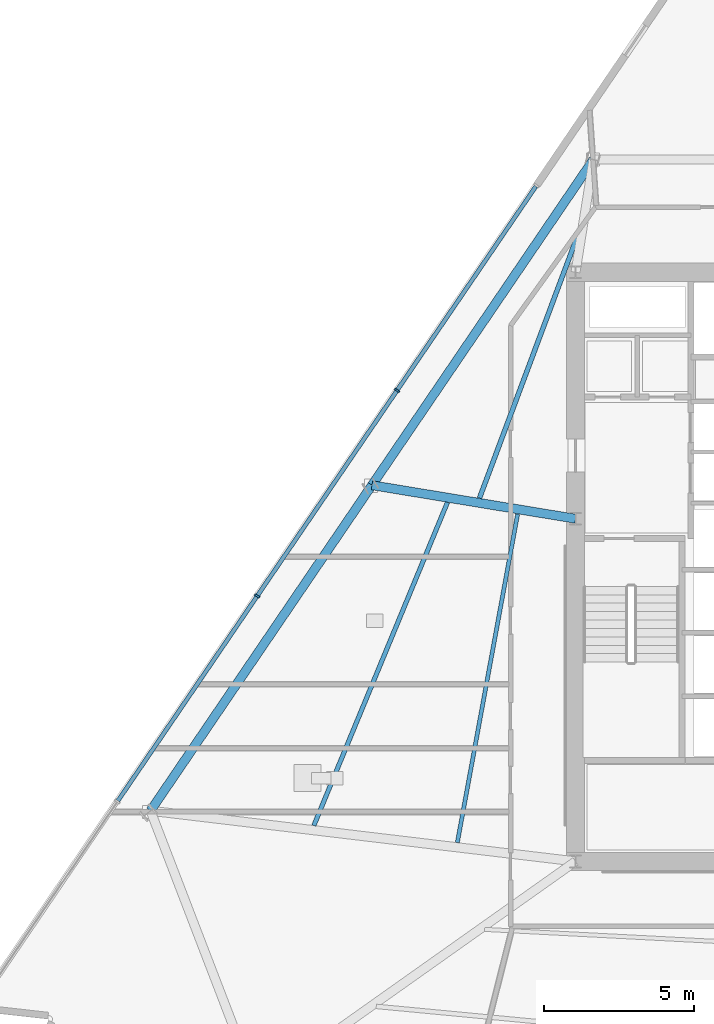
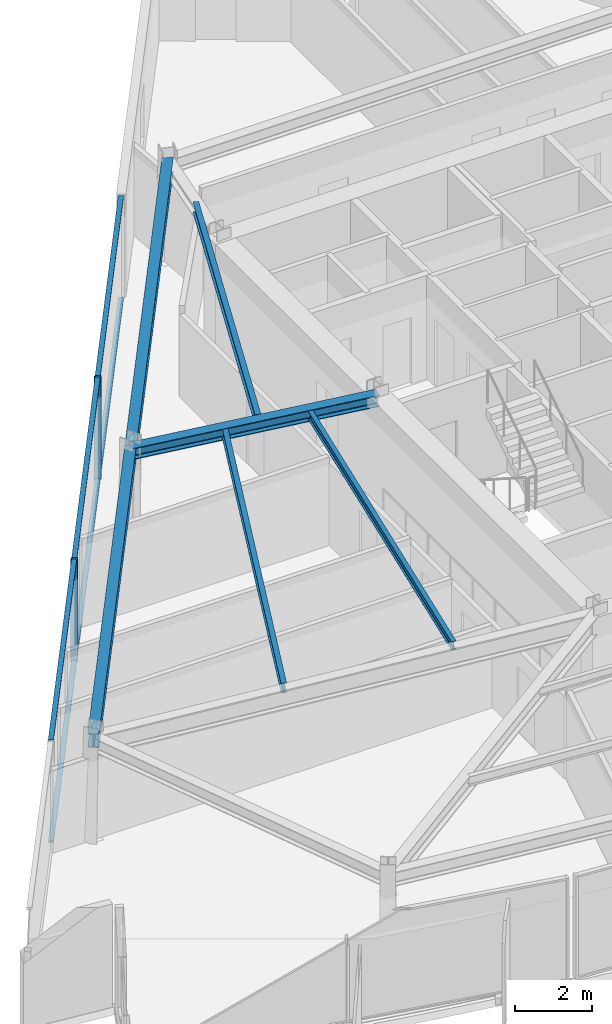
# One storey, part 3 of 15: 8 members, 6 beams, 1 element without a shape of its own.
"""IFC4 building model written with IfcOpenShell, lengths in metres."""

from ifc_helpers import new_model, si_unit, direction, frame, origin, origin_2d, place, context, subcontext, project, spatial, rectangle, i_section, extrude, material, material_profile, profile_set, type_object, element, aggregate, save


model = new_model("IFC4")

# Units and contexts
model_context = context("Model", 3, precision=1e-05, world=origin(), true_north=direction((0.0, 1.0)))
body_context = subcontext(model_context, "Body", "Model", "MODEL_VIEW")
ifc_project = project(units=[si_unit("LENGTHUNIT", "METRE"), si_unit("AREAUNIT", "SQUARE_METRE"), si_unit("VOLUMEUNIT", "CUBIC_METRE"), si_unit("PLANEANGLEUNIT", "RADIAN"), si_unit("MASSUNIT", "GRAM", prefix="KILO")], contexts=[model_context])

# Site, building, storey
site_placement = place(None, origin())
site = spatial("IfcSite", under=ifc_project, at=site_placement, CompositionType="ELEMENT")
building_placement = place(site_placement, origin())
building = spatial("IfcBuilding", under=site, at=building_placement, Name="Savorim Split Tower", CompositionType="ELEMENT")
storey_placement = place(building_placement, frame((0.0, 0.0, 125.699951171875)))
storey = spatial("IfcBuildingStorey", under=building, at=storey_placement, Name="L33", CompositionType="ELEMENT", Elevation=125.699951171875)

# Beams
ifc_material_1 = material(Name="Steel S355", Category="steel")
ifc_material_profile_1 = material_profile(ifc_material_1, i_section(OverallWidth=0.135009765625, OverallDepth=0.27001953125, WebThickness=0.006591796875, FlangeThickness=0.01025390625, FilletRadius=0.014892578125, at=origin_2d()), Name="IPE 270")
ifc_profile_set_1 = profile_set([ifc_material_profile_1], Name="Steel S355")
beam_type_1 = type_object("IfcBeamType", Name="BM-JST-IPE270", PredefinedType="JOIST", material=ifc_profile_set_1)
beam_1_placement = place(storey_placement, frame((-9.625244140625, 2.15478515625, 3.14501953125), z_axis=(-0.180490537246, -0.983576720935, 0.0), x_axis=(0.983576720935, -0.180490537246, 0.0)))
element("IfcBeam", 1, at=beam_1_placement, inside=storey, type_object=beam_type_1, Name="L33 Secondary Floor Joist JS-11", PredefinedType="JOIST", context=body_context, shape_type="SweptSolid", body=[
    extrude(i_section(OverallWidth=0.135009765625, OverallDepth=0.27001953125, WebThickness=0.006591796875, FlangeThickness=0.01025390625, FilletRadius=0.014892578125, at=origin_2d()), origin(), (0.0, 0.0, 1.0), 11.10791015625),
])
ifc_material_profile_2 = material_profile(ifc_material_1, i_section(OverallWidth=0.14990234375, OverallDepth=0.300048828125, WebThickness=0.007080078125, FlangeThickness=0.0107421875, FilletRadius=0.014892578125, at=origin_2d()), Name="IPE 300")
ifc_profile_set_2 = profile_set([ifc_material_profile_2], Name="Steel S355")
beam_type_2 = type_object("IfcBeamType", Name="BM-JST-IPE300", PredefinedType="JOIST", material=ifc_profile_set_2)
beam_2_placement = place(storey_placement, frame((-11.9599609375, 2.543701171875, 3.130126953125), z_axis=(-0.382122561092, -0.924111653592, 0.0), x_axis=(0.924111653592, -0.382122561092, 0.0)))
element("IfcBeam", 2, at=beam_2_placement, inside=storey, type_object=beam_type_2, Name="L33 Secondary Floor Joist JS-10", PredefinedType="JOIST", context=body_context, shape_type="SweptSolid", body=[
    extrude(i_section(OverallWidth=0.14990234375, OverallDepth=0.300048828125, WebThickness=0.007080078125, FlangeThickness=0.0107421875, FilletRadius=0.014892578125, at=origin_2d()), origin(), (0.0, 0.0, 1.0), 11.6337890625),
])
ifc_material_profile_3 = material_profile(ifc_material_1, i_section(OverallWidth=0.159912109375, OverallDepth=0.330078125, WebThickness=0.007568359375, FlangeThickness=0.011474609375, FilletRadius=0.01806640625, at=origin_2d()), Name="IPE 330")
ifc_profile_set_3 = profile_set([ifc_material_profile_3], Name="Steel S355")
beam_type_3 = type_object("IfcBeamType", Name="BM-JST-IPE330", PredefinedType="JOIST", material=ifc_profile_set_3)
beam_3_placement = place(storey_placement, frame((-7.470458984375, 11.847900390625, 3.114990234375), z_axis=(-0.350078353799, -0.93672042051, 0.0), x_axis=(0.93672042051, -0.350078353799, 0.0)))
element("IfcBeam", 3, at=beam_3_placement, inside=storey, type_object=beam_type_3, Name="L33 Secondary Floor Joist JS-09", PredefinedType="JOIST", context=body_context, shape_type="SweptSolid", body=[
    extrude(i_section(OverallWidth=0.159912109375, OverallDepth=0.330078125, WebThickness=0.007568359375, FlangeThickness=0.011474609375, FilletRadius=0.01806640625, at=origin_2d()), origin(), (0.0, 0.0, 1.0), 9.781494140625),
])
ifc_material_profile_4 = material_profile(ifc_material_1, i_section(OverallWidth=0.300048828125, OverallDepth=0.360107421875, WebThickness=0.012451171875, FlangeThickness=0.0224609375, FilletRadius=0.027099609375, at=origin_2d()), Name="HEB 360")
ifc_profile_set_4 = profile_set([ifc_material_profile_4], Name="Steel S355")
beam_type_4 = type_object("IfcBeamType", Name="BM-PRI-HEB360", PredefinedType="BEAM", material=ifc_profile_set_4)
beam_4_placement = place(storey_placement, frame((-14.472412109375, 3.115234375, 3.10009765625), z_axis=(0.98671123337, -0.162483666692, 0.0), x_axis=(0.162483666692, 0.98671123337, 0.0)))
element("IfcBeam", 4, at=beam_4_placement, inside=storey, type_object=beam_type_4, Name="L33 Primary Floor Girder RG-09", PredefinedType="BEAM", context=body_context, shape_type="SweptSolid", body=[
    extrude(i_section(OverallWidth=0.300048828125, OverallDepth=0.360107421875, WebThickness=0.012451171875, FlangeThickness=0.0224609375, FilletRadius=0.027099609375, at=origin_2d()), origin(), (0.0, 0.0, 1.0), 6.86376953125),
])
ifc_material_profile_5 = material_profile(ifc_material_1, i_section(OverallWidth=0.300048828125, OverallDepth=0.43994140625, WebThickness=0.011474609375, FlangeThickness=0.02099609375, FilletRadius=0.027099609375, at=origin_2d()), Name="HEA 450")
ifc_profile_set_5 = profile_set([ifc_material_profile_5], Name="Steel S355")
beam_type_5 = type_object("IfcBeamType", Name="BM-SPN-HEA450", PredefinedType="SPANDREL", material=ifc_profile_set_5)
beam_5_placement = place(storey_placement, frame((-7.10498046875, 13.9453125, 3.06005859375), z_axis=(-0.562465505411, -0.826820751567, 0.0), x_axis=(0.826820751567, -0.562465505411, 0.0)))
element("IfcBeam", 5, at=beam_5_placement, inside=storey, type_object=beam_type_5, Name="L33 Perimeter Spandrel Beam 8", PredefinedType="SPANDREL", context=body_context, shape_type="SweptSolid", body=[
    extrude(i_section(OverallWidth=0.300048828125, OverallDepth=0.43994140625, WebThickness=0.011474609375, FlangeThickness=0.02099609375, FilletRadius=0.027099609375, at=origin_2d()), origin(), (0.0, 0.0, 1.0), 13.098388671875),
])
beam_6_placement = place(storey_placement, frame((-14.472412109375, 3.115234375, 3.06005859375), z_axis=(-0.562474173677, -0.826814854696, 0.0), x_axis=(0.826814854696, -0.562474173677, 0.0)))
element("IfcBeam", 6, at=beam_6_placement, inside=storey, type_object=beam_type_5, Name="L33 Perimeter Spandrel Beam 9", PredefinedType="SPANDREL", context=body_context, shape_type="SweptSolid", body=[
    extrude(i_section(OverallWidth=0.300048828125, OverallDepth=0.43994140625, WebThickness=0.011474609375, FlangeThickness=0.02099609375, FilletRadius=0.027099609375, at=origin_2d()), origin(), (0.0, 0.0, 1.0), 13.09814453125),
])

# Curtain wall, members
ifc_material_2 = material(Name="Dark Ceramic-Fritted Insulated Glass", Category="glass")
curtain_wall_type = type_object("IfcCurtainWallType", Name="CW-TWR-FRIT-A", PredefinedType="NOTDEFINED", material=ifc_material_2)
curtain_wall_placement = place(storey_placement, origin())
curtain_wall = element("IfcCurtainWall", 7, at=curtain_wall_placement, inside=storey, type_object=curtain_wall_type, Name="L33 Curtain Wall CW-L33-WEST", PredefinedType="NOTDEFINED")
ifc_material_3 = material(Name="Charcoal Anodised Aluminium", Category="aluminium")
ifc_material_profile_6 = material_profile(ifc_material_3, rectangle(XDim=0.179931640625, YDim=0.06494140625, at=origin_2d()), Name="ALU-M 180x65")
ifc_profile_set_6 = profile_set([ifc_material_profile_6], Name="Charcoal Anodised Aluminium")
member_type_1 = type_object("IfcMemberType", Name="CWM-180x65", PredefinedType="MULLION", material=ifc_profile_set_6)
member_1_placement = place(storey_placement, frame((-13.636474609375, 6.269287109375, 0.0), z_axis=(0.0, 0.0, 1.0), x_axis=(0.826819959579, -0.562466669628, 0.0)))
member_1 = element("IfcMember", 8, at=member_1_placement, type_object=member_type_1, Name="CW-02 mullion 2", PredefinedType="MULLION", context=body_context, shape_type="SweptSolid", body=[
    extrude(rectangle(XDim=0.179931640625, YDim=0.06494140625, at=origin_2d()), origin(), (0.0, 0.0, 1.0), 3.280029296875),
])
member_2_placement = place(storey_placement, frame((-18.288818359375, -0.570068359375, 0.0), z_axis=(0.0, 0.0, 1.0), x_axis=(0.826819959579, -0.562466669628, 0.0)))
member_2 = element("IfcMember", 9, at=member_2_placement, type_object=member_type_1, Name="CW-02 mullion 3", PredefinedType="MULLION", context=body_context, shape_type="SweptSolid", body=[
    extrude(rectangle(XDim=0.179931640625, YDim=0.06494140625, at=origin_2d()), origin(), (0.0, 0.0, 1.0), 3.280029296875),
])
ifc_material_profile_7 = material_profile(ifc_material_3, rectangle(XDim=0.139892578125, YDim=0.054931640625, at=origin_2d()), Name="ALU-T 140x55")
ifc_profile_set_7 = profile_set([ifc_material_profile_7], Name="Charcoal Anodised Aluminium")
member_type_2 = type_object("IfcMemberType", Name="CWT-140x55", PredefinedType="USERDEFINED", material=ifc_profile_set_7)
member_3_placement = place(storey_placement, frame((-9.0205078125, 13.054443359375, 0.027587890625), z_axis=(-0.562478304433, -0.826812044568, 0.0), x_axis=(0.826812044568, -0.562478304433, 0.0)))
member_3 = element("IfcMember", 10, at=member_3_placement, type_object=member_type_2, Name="CW-02 transom 1.1", ObjectType="TRANSOM", PredefinedType="USERDEFINED", context=body_context, shape_type="SweptSolid", body=[
    extrude(rectangle(XDim=0.139892578125, YDim=0.054931640625, at=origin_2d()), origin(), (0.0, 0.0, 1.0), 8.173828125),
])
member_4_placement = place(storey_placement, frame((-9.0205078125, 13.054443359375, 3.25244140625), z_axis=(-0.562478304433, -0.826812044568, 0.0), x_axis=(0.826812044568, -0.562478304433, 0.0)))
member_4 = element("IfcMember", 11, at=member_4_placement, type_object=member_type_2, Name="CW-02 transom 1.2", ObjectType="TRANSOM", PredefinedType="USERDEFINED", context=body_context, shape_type="SweptSolid", body=[
    extrude(rectangle(XDim=0.139892578125, YDim=0.054931640625, at=origin_2d()), origin(), (0.0, 0.0, 1.0), 8.173828125),
])
member_5_placement = place(storey_placement, frame((-13.65478515625, 6.2421875, 0.027587890625), z_axis=(-0.562461368044, -0.8268235661, 0.0), x_axis=(0.8268235661, -0.562461368044, 0.0)))
member_5 = element("IfcMember", 12, at=member_5_placement, type_object=member_type_2, Name="CW-02 transom 2.1", ObjectType="TRANSOM", PredefinedType="USERDEFINED", context=body_context, shape_type="SweptSolid", body=[
    extrude(rectangle(XDim=0.139892578125, YDim=0.054931640625, at=origin_2d()), origin(), (0.0, 0.0, 1.0), 8.206298828125),
])
member_6_placement = place(storey_placement, frame((-13.65478515625, 6.2421875, 3.25244140625), z_axis=(-0.562461368044, -0.8268235661, 0.0), x_axis=(0.8268235661, -0.562461368044, 0.0)))
member_6 = element("IfcMember", 13, at=member_6_placement, type_object=member_type_2, Name="CW-02 transom 2.2", ObjectType="TRANSOM", PredefinedType="USERDEFINED", context=body_context, shape_type="SweptSolid", body=[
    extrude(rectangle(XDim=0.139892578125, YDim=0.054931640625, at=origin_2d()), origin(), (0.0, 0.0, 1.0), 8.206298828125),
])
member_7_placement = place(storey_placement, frame((-18.30712890625, -0.596923828125, 0.027587890625), z_axis=(-0.562467870631, -0.826819142563, 0.0), x_axis=(0.826819142563, -0.562467870631, 0.0)))
member_7 = element("IfcMember", 14, at=member_7_placement, type_object=member_type_2, Name="CW-02 transom 3.1", ObjectType="TRANSOM", PredefinedType="USERDEFINED", context=body_context, shape_type="SweptSolid", body=[
    extrude(rectangle(XDim=0.139892578125, YDim=0.054931640625, at=origin_2d()), origin(), (0.0, 0.0, 1.0), 8.20654296875),
])
member_8_placement = place(storey_placement, frame((-18.30712890625, -0.596923828125, 3.25244140625), z_axis=(-0.562467870631, -0.826819142563, 0.0), x_axis=(0.826819142563, -0.562467870631, 0.0)))
member_8 = element("IfcMember", 15, at=member_8_placement, type_object=member_type_2, Name="CW-02 transom 3.2", ObjectType="TRANSOM", PredefinedType="USERDEFINED", context=body_context, shape_type="SweptSolid", body=[
    extrude(rectangle(XDim=0.139892578125, YDim=0.054931640625, at=origin_2d()), origin(), (0.0, 0.0, 1.0), 8.20654296875),
])
aggregate(curtain_wall, [member_1, member_2, member_3, member_4, member_5, member_6, member_7, member_8])

save(model, "model.ifc")
